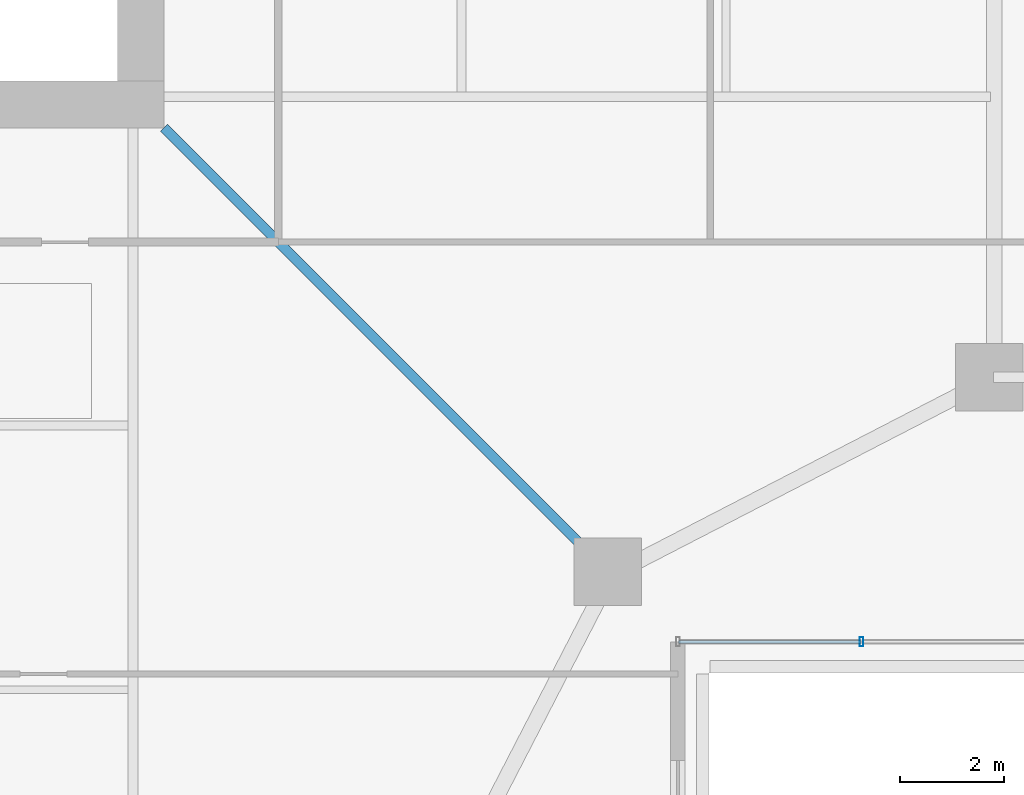
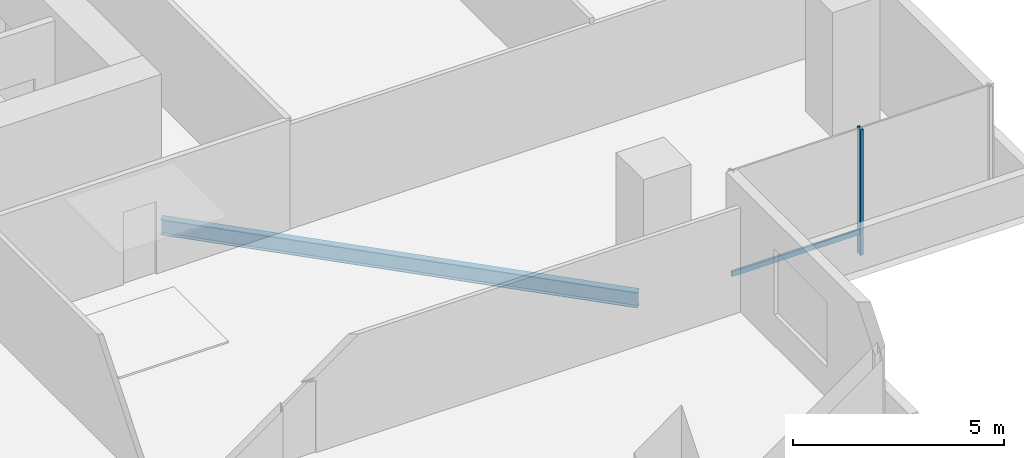
# One storey, part 13 of 34: 2 members, 1 beam, 1 element without a shape of its own.
"""IFC4 building model written with IfcOpenShell, lengths in metres."""

from ifc_helpers import new_model, si_unit, direction, frame, origin, origin_2d, place, context, subcontext, project, spatial, hollow_rectangle, i_section, extrude, material, layer, layer_set, material_profile, profile_set, type_object, element, aggregate, save


model = new_model("IFC4")

# Units and contexts
model_context = context("Model", 3, precision=1e-05, world=origin(), true_north=direction((0.0, 1.0)))
body_context = subcontext(model_context, "Body", "Model", "MODEL_VIEW")
ifc_project = project(units=[si_unit("LENGTHUNIT", "METRE"), si_unit("AREAUNIT", "SQUARE_METRE"), si_unit("VOLUMEUNIT", "CUBIC_METRE"), si_unit("PLANEANGLEUNIT", "RADIAN"), si_unit("MASSUNIT", "GRAM", prefix="KILO")], contexts=[model_context])

# Site, building, storey
site_placement = place(None, origin())
site = spatial("IfcSite", under=ifc_project, at=site_placement, CompositionType="ELEMENT")
building_placement = place(site_placement, origin())
building = spatial("IfcBuilding", under=site, at=building_placement, Name="Belovzor Exchange Tower", CompositionType="ELEMENT")
storey_placement = place(building_placement, frame((0.0, 0.0, 113.39990234375)))
storey = spatial("IfcBuildingStorey", under=building, at=storey_placement, Name="L27", CompositionType="ELEMENT", Elevation=113.39990234375)

# Curtain wall, members
ifc_material_1 = material(Name="Anodised Aluminium Framing", Category="aluminium")
ifc_layer = layer(ifc_material_1, 0.195068359375)
ifc_layer_set = layer_set([ifc_layer], Name="Anodised Aluminium Framing")
curtain_wall_type = type_object("IfcCurtainWallType", Name="Notched Re-Entrant Corner Unitised Curtain Wall", PredefinedType="NOTDEFINED", material=ifc_layer_set)
curtain_wall_placement = place(storey_placement, origin())
curtain_wall = element("IfcCurtainWall", 1, at=curtain_wall_placement, inside=storey, type_object=curtain_wall_type, Name="CW5 Notched Re-Entrant Corner Unitised Curtain Wall L27", PredefinedType="NOTDEFINED")
ifc_material_2 = material(Name="Steel S355", Category="steel")
ifc_material_profile_1 = material_profile(ifc_material_2, hollow_rectangle(XDim=0.074951171875, YDim=0.179931640625, WallThickness=0.0048828125, at=origin_2d()))
ifc_profile_set_1 = profile_set([ifc_material_profile_1], Name="Steel S355")
member_type_1 = type_object("IfcMemberType", Name="Thermally Broken Curtain Wall Mullion 180x75", PredefinedType="MULLION", material=ifc_profile_set_1)
member_1_placement = place(storey_placement, frame((51.235107421875, 9.89990234375, 0.0), z_axis=(0.0, 0.0, 1.0), x_axis=(-1.0, 0.0, 0.0)))
member_1 = element("IfcMember", 2, at=member_1_placement, type_object=member_type_1, Name="CW-M180 Curtain Wall Mullion 2", PredefinedType="MULLION", context=body_context, shape_type="SweptSolid", body=[
    extrude(hollow_rectangle(XDim=0.074951171875, YDim=0.179931640625, WallThickness=0.0048828125, at=origin_2d()), origin(), (0.0, 0.0, 1.0), 3.650146484375),
])
ifc_material_3 = material(Name="Steel S355", Category="steel")
ifc_material_profile_2 = material_profile(ifc_material_3, hollow_rectangle(XDim=0.06005859375, YDim=0.14990234375, WallThickness=0.00390625, at=origin_2d()))
ifc_profile_set_2 = profile_set([ifc_material_profile_2], Name="Steel S355")
member_type_2 = type_object("IfcMemberType", Name="Thermally Broken Curtain Wall Transom 150x60", PredefinedType="USERDEFINED", material=ifc_profile_set_2)
member_2_placement = place(storey_placement, frame((51.22705078125, 9.89990234375, 0.650146484375), z_axis=(-1.0, 0.0, 0.0), x_axis=(0.0, -1.0, 0.0)))
member_2 = element("IfcMember", 3, at=member_2_placement, type_object=member_type_2, Name="CW-T150 Curtain Wall Transom 2", ObjectType="TRANSOM", PredefinedType="USERDEFINED", context=body_context, shape_type="SweptSolid", body=[
    extrude(hollow_rectangle(XDim=0.06005859375, YDim=0.14990234375, WallThickness=0.00390625, at=origin_2d()), origin(), (0.0, 0.0, 1.0), 3.51904296875),
])
aggregate(curtain_wall, [member_1, member_2])

# Beam
ifc_material_4 = material(Name="Steel S355", Category="steel")
ifc_material_profile_3 = material_profile(ifc_material_4, i_section(OverallWidth=0.18994140625, OverallDepth=0.449951171875, WebThickness=0.009521484375, FlangeThickness=0.0146484375, at=origin_2d()))
ifc_profile_set_3 = profile_set([ifc_material_profile_3], Name="Steel S355")
beam_type = type_object("IfcBeamType", Name="Zone 2-4 Radial Composite Floor Beam IPE 450", PredefinedType="BEAM", material=ifc_profile_set_3)
beam_placement = place(storey_placement, frame((37.800048828125, 19.800048828125, -0.474853515625), z_axis=(0.707096363944, -0.707117198275, 0.0), x_axis=(0.707117198275, 0.707096363944, 0.0)))
element("IfcBeam", 4, at=beam_placement, inside=storey, type_object=beam_type, Name="FB-450 Zone 2-4 Radial Composite Floor Beam IPE 450", PredefinedType="BEAM", context=body_context, shape_type="SweptSolid", body=[
    extrude(i_section(OverallWidth=0.18994140625, OverallDepth=0.449951171875, WebThickness=0.009521484375, FlangeThickness=0.0146484375, at=origin_2d()), origin(), (0.0, 0.0, 1.0), 11.71826171875),
])

save(model, "model.ifc")
